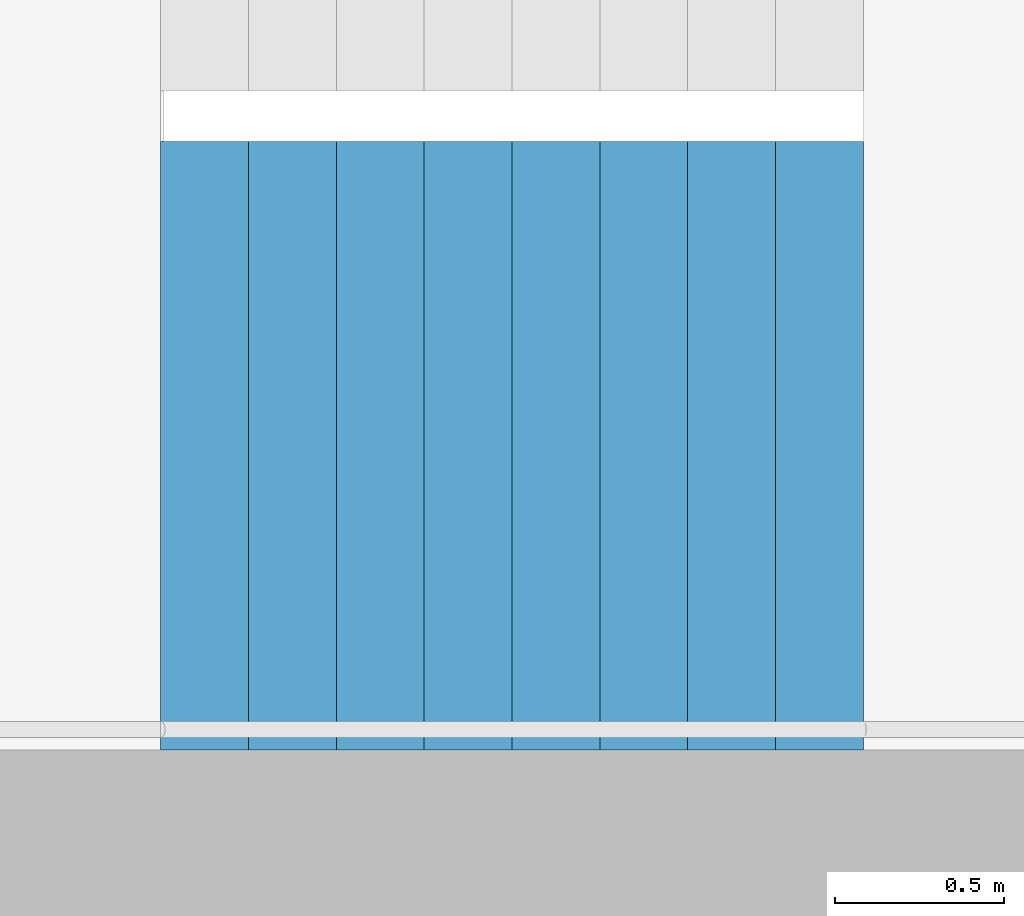
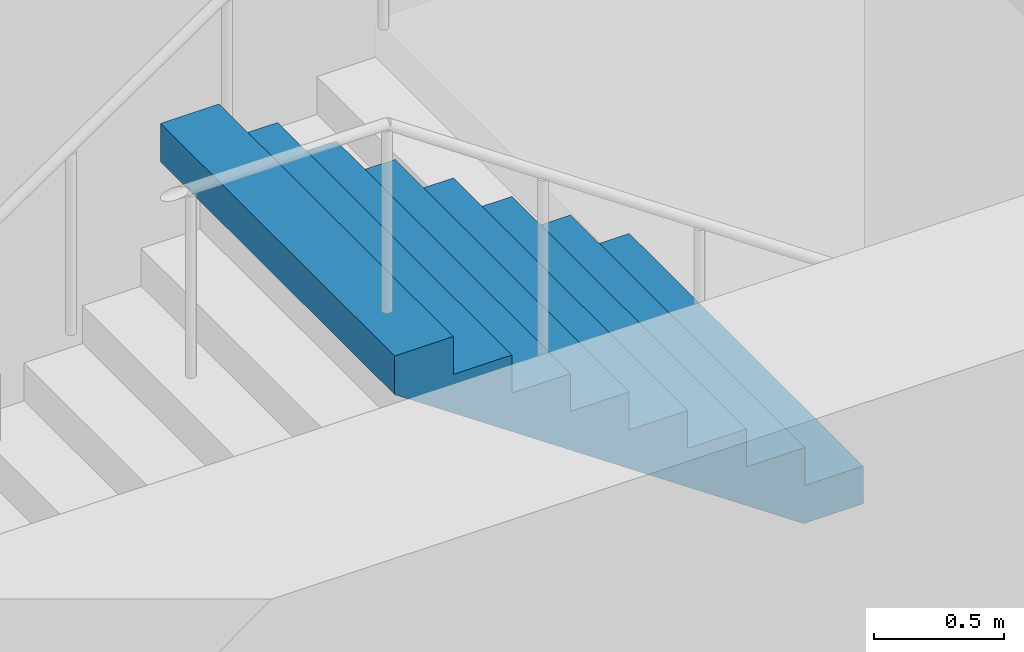
# One storey, part 26 of 44: 1 stair flight, 1 element without a shape of its own.
"""IFC4 building model written with IfcOpenShell, lengths in metres."""

from ifc_helpers import new_model, si_unit, direction, frame, origin, place, context, subcontext, project, spatial, triangles, material, type_object, element, aggregate, save


model = new_model("IFC4")

# Units and contexts
model_context = context("Model", 3, precision=1e-05, world=origin(), true_north=direction((0.0, 1.0)))
body_context = subcontext(model_context, "Body", "Model", "MODEL_VIEW")
ifc_project = project(units=[si_unit("LENGTHUNIT", "METRE"), si_unit("AREAUNIT", "SQUARE_METRE"), si_unit("VOLUMEUNIT", "CUBIC_METRE"), si_unit("PLANEANGLEUNIT", "RADIAN"), si_unit("MASSUNIT", "GRAM", prefix="KILO")], contexts=[model_context])

# Site, building, storey
site_placement = place(None, origin())
site = spatial("IfcSite", under=ifc_project, at=site_placement, CompositionType="ELEMENT")
building_placement = place(site_placement, origin())
building = spatial("IfcBuilding", under=site, at=building_placement, Name="Hakoniwa Tower and Hamabe Station Hall", CompositionType="ELEMENT")
storey_placement = place(building_placement, frame((0.0, 0.0, 69.0)))
storey = spatial("IfcBuildingStorey", under=building, at=storey_placement, Name="L19", CompositionType="ELEMENT", Elevation=69.0)

# Stair, stair flight
ifc_material_1 = material(Name="Concrete C40", Category="concrete")
stair_type = type_object("IfcStairType", Name="ESCAPE STAIR 1800", PredefinedType="HALF_TURN_STAIR", material=ifc_material_1)
stair_placement = place(storey_placement, origin())
stair = element("IfcStair", 1, at=stair_placement, inside=storey, type_object=stair_type, Name="Escape stair ST-4 L19", PredefinedType="HALF_TURN_STAIR")
ifc_material_2 = material(Name="Concrete C40", Category="concrete")
stair_flight_type = type_object("IfcStairFlightType", Name="STAIR FLIGHT 1800", PredefinedType="STRAIGHT", material=ifc_material_2)
stair_flight_placement = place(storey_placement, frame((25.47998046875, -6.60009765625, 4.800048828125), z_axis=(0.0, 0.0, 1.0), x_axis=(-1.0, 0.0, 0.0)))
stair_flight = element("IfcStairFlight", 2, at=stair_flight_placement, type_object=stair_flight_type, Name="ST-4 flight 4", NumberOfRisers=9, NumberOfTreads=8, PredefinedType="STRAIGHT", RiserHeight=0.177777778, TreadLength=0.26, context=body_context, shape_type="Tessellation", body=[
    triangles([(0.0, 0.89990234375, 0.0), (0.260009765625, 0.89990234375, 0.0), (0.265625, 0.89990234375, 0.0), (0.52001953125, 0.89990234375, 0.174072265625), (0.780029296875, 0.89990234375, 0.351806640625), (1.0400390625, 0.89990234375, 0.529541015625), (1.300048828125, 0.89990234375, 0.707275390625), (1.56005859375, 0.89990234375, 0.885009765625), (1.820068359375, 0.89990234375, 1.062744140625), (2.080078125, 0.89990234375, 1.24072265625), (2.080078125, 0.89990234375, 1.422119140625), (1.820068359375, 0.89990234375, 1.422119140625), (1.820068359375, 0.89990234375, 1.244384765625), (1.56005859375, 0.89990234375, 1.244384765625), (1.56005859375, 0.89990234375, 1.066650390625), (1.300048828125, 0.89990234375, 1.066650390625), (1.300048828125, 0.89990234375, 0.888916015625), (1.0400390625, 0.89990234375, 0.888916015625), (1.0400390625, 0.89990234375, 0.711181640625), (0.780029296875, 0.89990234375, 0.711181640625), (0.780029296875, 0.89990234375, 0.533447265625), (0.52001953125, 0.89990234375, 0.533447265625), (0.52001953125, 0.89990234375, 0.35546875), (0.265625, 0.89990234375, 0.35546875), (0.260009765625, 0.89990234375, 0.35546875), (0.260009765625, 0.89990234375, 0.177734375), (0.0, 0.89990234375, 0.177734375), (0.0, 0.06005859375, 0.0), (0.260009765625, 0.06005859375, 0.0), (0.265625, 0.06005859375, 0.0), (0.52001953125, 0.06005859375, 0.174072265625), (0.780029296875, 0.06005859375, 0.351806640625), (1.0400390625, 0.06005859375, 0.529541015625), (1.300048828125, 0.06005859375, 0.707275390625), (1.56005859375, 0.06005859375, 0.885009765625), (1.820068359375, 0.06005859375, 1.062744140625), (2.080078125, 0.06005859375, 1.24072265625), (2.080078125, 0.06005859375, 1.422119140625), (1.820068359375, 0.06005859375, 1.422119140625), (1.820068359375, 0.06005859375, 1.244384765625), (1.56005859375, 0.06005859375, 1.244384765625), (1.56005859375, 0.06005859375, 1.066650390625), (1.300048828125, 0.06005859375, 1.066650390625), (1.300048828125, 0.06005859375, 0.888916015625), (1.0400390625, 0.06005859375, 0.888916015625), (1.0400390625, 0.06005859375, 0.711181640625), (0.780029296875, 0.06005859375, 0.711181640625), (0.780029296875, 0.06005859375, 0.533447265625), (0.52001953125, 0.06005859375, 0.533447265625), (0.52001953125, 0.06005859375, 0.35546875), (0.265625, 0.06005859375, 0.35546875), (0.260009765625, 0.06005859375, 0.35546875), (0.260009765625, 0.06005859375, 0.177734375), (0.0, 0.06005859375, 0.177734375), (0.0, 0.04296875, 0.0), (0.260009765625, 0.04296875, 0.0), (0.265625, 0.04296875, 0.0), (0.52001953125, 0.04296875, 0.174072265625), (0.780029296875, 0.04296875, 0.351806640625), (1.0400390625, 0.04296875, 0.529541015625), (1.300048828125, 0.04296875, 0.707275390625), (1.56005859375, 0.04296875, 0.885009765625), (1.820068359375, 0.04296875, 1.062744140625), (2.080078125, 0.04296875, 1.24072265625), (2.080078125, 0.04296875, 1.422119140625), (1.820068359375, 0.04296875, 1.422119140625), (1.820068359375, 0.04296875, 1.244384765625), (1.56005859375, 0.04296875, 1.244384765625), (1.56005859375, 0.04296875, 1.066650390625), (1.300048828125, 0.04296875, 1.066650390625), (1.300048828125, 0.04296875, 0.888916015625), (1.0400390625, 0.04296875, 0.888916015625), (1.0400390625, 0.04296875, 0.711181640625), (0.780029296875, 0.04296875, 0.711181640625), (0.780029296875, 0.04296875, 0.533447265625), (0.52001953125, 0.04296875, 0.533447265625), (0.52001953125, 0.04296875, 0.35546875), (0.265625, 0.04296875, 0.35546875), (0.260009765625, 0.04296875, 0.35546875), (0.260009765625, 0.04296875, 0.177734375), (0.0, 0.04296875, 0.177734375), (0.0, 0.025634765625, 0.0), (0.260009765625, 0.025634765625, 0.0), (0.265625, 0.025634765625, 0.0), (0.52001953125, 0.025634765625, 0.174072265625), (0.780029296875, 0.025634765625, 0.351806640625), (1.0400390625, 0.025634765625, 0.529541015625), (1.300048828125, 0.025634765625, 0.707275390625), (1.56005859375, 0.025634765625, 0.885009765625), (1.820068359375, 0.025634765625, 1.062744140625), (2.080078125, 0.025634765625, 1.24072265625), (2.080078125, 0.025634765625, 1.422119140625), (1.820068359375, 0.025634765625, 1.422119140625), (1.820068359375, 0.025634765625, 1.244384765625), (1.56005859375, 0.025634765625, 1.244384765625), (1.56005859375, 0.025634765625, 1.066650390625), (1.300048828125, 0.025634765625, 1.066650390625), (1.300048828125, 0.025634765625, 0.888916015625), (1.0400390625, 0.025634765625, 0.888916015625), (1.0400390625, 0.025634765625, 0.711181640625), (0.780029296875, 0.025634765625, 0.711181640625), (0.780029296875, 0.025634765625, 0.533447265625), (0.52001953125, 0.025634765625, 0.533447265625), (0.52001953125, 0.025634765625, 0.35546875), (0.265625, 0.025634765625, 0.35546875), (0.260009765625, 0.025634765625, 0.35546875), (0.260009765625, 0.025634765625, 0.177734375), (0.0, 0.025634765625, 0.177734375), (0.0, 0.008544921875, 0.0), (0.260009765625, 0.008544921875, 0.0), (0.265625, 0.008544921875, 0.0), (0.52001953125, 0.008544921875, 0.174072265625), (0.780029296875, 0.008544921875, 0.351806640625), (1.0400390625, 0.008544921875, 0.529541015625), (1.300048828125, 0.008544921875, 0.707275390625), (1.56005859375, 0.008544921875, 0.885009765625), (1.820068359375, 0.008544921875, 1.062744140625), (2.080078125, 0.008544921875, 1.24072265625), (2.080078125, 0.008544921875, 1.422119140625), (1.820068359375, 0.008544921875, 1.422119140625), (1.820068359375, 0.008544921875, 1.244384765625), (1.56005859375, 0.008544921875, 1.244384765625), (1.56005859375, 0.008544921875, 1.066650390625), (1.300048828125, 0.008544921875, 1.066650390625), (1.300048828125, 0.008544921875, 0.888916015625), (1.0400390625, 0.008544921875, 0.888916015625), (1.0400390625, 0.008544921875, 0.711181640625), (0.780029296875, 0.008544921875, 0.711181640625), (0.780029296875, 0.008544921875, 0.533447265625), (0.52001953125, 0.008544921875, 0.533447265625), (0.52001953125, 0.008544921875, 0.35546875), (0.265625, 0.008544921875, 0.35546875), (0.260009765625, 0.008544921875, 0.35546875), (0.260009765625, 0.008544921875, 0.177734375), (0.0, 0.008544921875, 0.177734375), (0.0, -0.008544921875, 0.0), (0.260009765625, -0.008544921875, 0.0), (0.265625, -0.008544921875, 0.0), (0.52001953125, -0.008544921875, 0.174072265625), (0.780029296875, -0.008544921875, 0.351806640625), (1.0400390625, -0.008544921875, 0.529541015625), (1.300048828125, -0.008544921875, 0.707275390625), (1.56005859375, -0.008544921875, 0.885009765625), (1.820068359375, -0.008544921875, 1.062744140625), (2.080078125, -0.008544921875, 1.24072265625), (2.080078125, -0.008544921875, 1.422119140625), (1.820068359375, -0.008544921875, 1.422119140625), (1.820068359375, -0.008544921875, 1.244384765625), (1.56005859375, -0.008544921875, 1.244384765625), (1.56005859375, -0.008544921875, 1.066650390625), (1.300048828125, -0.008544921875, 1.066650390625), (1.300048828125, -0.008544921875, 0.888916015625), (1.0400390625, -0.008544921875, 0.888916015625), (1.0400390625, -0.008544921875, 0.711181640625), (0.780029296875, -0.008544921875, 0.711181640625), (0.780029296875, -0.008544921875, 0.533447265625), (0.52001953125, -0.008544921875, 0.533447265625), (0.52001953125, -0.008544921875, 0.35546875), (0.265625, -0.008544921875, 0.35546875), (0.260009765625, -0.008544921875, 0.35546875), (0.260009765625, -0.008544921875, 0.177734375), (0.0, -0.008544921875, 0.177734375), (0.0, -0.025634765625, 0.0), (0.260009765625, -0.025634765625, 0.0), (0.265625, -0.025634765625, 0.0), (0.52001953125, -0.025634765625, 0.174072265625), (0.780029296875, -0.025634765625, 0.351806640625), (1.0400390625, -0.025634765625, 0.529541015625), (1.300048828125, -0.025634765625, 0.707275390625), (1.56005859375, -0.025634765625, 0.885009765625), (1.820068359375, -0.025634765625, 1.062744140625), (2.080078125, -0.025634765625, 1.24072265625), (2.080078125, -0.025634765625, 1.422119140625), (1.820068359375, -0.025634765625, 1.422119140625), (1.820068359375, -0.025634765625, 1.244384765625), (1.56005859375, -0.025634765625, 1.244384765625), (1.56005859375, -0.025634765625, 1.066650390625), (1.300048828125, -0.025634765625, 1.066650390625), (1.300048828125, -0.025634765625, 0.888916015625), (1.0400390625, -0.025634765625, 0.888916015625), (1.0400390625, -0.025634765625, 0.711181640625), (0.780029296875, -0.025634765625, 0.711181640625), (0.780029296875, -0.025634765625, 0.533447265625), (0.52001953125, -0.025634765625, 0.533447265625), (0.52001953125, -0.025634765625, 0.35546875), (0.265625, -0.025634765625, 0.35546875), (0.260009765625, -0.025634765625, 0.35546875), (0.260009765625, -0.025634765625, 0.177734375), (0.0, -0.025634765625, 0.177734375), (0.0, -0.04296875, 0.0), (0.260009765625, -0.04296875, 0.0), (0.265625, -0.04296875, 0.0), (0.52001953125, -0.04296875, 0.174072265625), (0.780029296875, -0.04296875, 0.351806640625), (1.0400390625, -0.04296875, 0.529541015625), (1.300048828125, -0.04296875, 0.707275390625), (1.56005859375, -0.04296875, 0.885009765625), (1.820068359375, -0.04296875, 1.062744140625), (2.080078125, -0.04296875, 1.24072265625), (2.080078125, -0.04296875, 1.422119140625), (1.820068359375, -0.04296875, 1.422119140625), (1.820068359375, -0.04296875, 1.244384765625), (1.56005859375, -0.04296875, 1.244384765625), (1.56005859375, -0.04296875, 1.066650390625), (1.300048828125, -0.04296875, 1.066650390625), (1.300048828125, -0.04296875, 0.888916015625), (1.0400390625, -0.04296875, 0.888916015625), (1.0400390625, -0.04296875, 0.711181640625), (0.780029296875, -0.04296875, 0.711181640625), (0.780029296875, -0.04296875, 0.533447265625), (0.52001953125, -0.04296875, 0.533447265625), (0.52001953125, -0.04296875, 0.35546875), (0.265625, -0.04296875, 0.35546875), (0.260009765625, -0.04296875, 0.35546875), (0.260009765625, -0.04296875, 0.177734375), (0.0, -0.04296875, 0.177734375), (0.0, -0.06005859375, 0.0), (0.260009765625, -0.06005859375, 0.0), (0.265625, -0.06005859375, 0.0), (0.52001953125, -0.06005859375, 0.174072265625), (0.780029296875, -0.06005859375, 0.351806640625), (1.0400390625, -0.06005859375, 0.529541015625), (1.300048828125, -0.06005859375, 0.707275390625), (1.56005859375, -0.06005859375, 0.885009765625), (1.820068359375, -0.06005859375, 1.062744140625), (2.080078125, -0.06005859375, 1.24072265625), (2.080078125, -0.06005859375, 1.422119140625), (1.820068359375, -0.06005859375, 1.422119140625), (1.820068359375, -0.06005859375, 1.244384765625), (1.56005859375, -0.06005859375, 1.244384765625), (1.56005859375, -0.06005859375, 1.066650390625), (1.300048828125, -0.06005859375, 1.066650390625), (1.300048828125, -0.06005859375, 0.888916015625), (1.0400390625, -0.06005859375, 0.888916015625), (1.0400390625, -0.06005859375, 0.711181640625), (0.780029296875, -0.06005859375, 0.711181640625), (0.780029296875, -0.06005859375, 0.533447265625), (0.52001953125, -0.06005859375, 0.533447265625), (0.52001953125, -0.06005859375, 0.35546875), (0.265625, -0.06005859375, 0.35546875), (0.260009765625, -0.06005859375, 0.35546875), (0.260009765625, -0.06005859375, 0.177734375), (0.0, -0.06005859375, 0.177734375), (0.0, -0.89990234375, 0.0), (0.260009765625, -0.89990234375, 0.0), (0.265625, -0.89990234375, 0.0), (0.52001953125, -0.89990234375, 0.174072265625), (0.780029296875, -0.89990234375, 0.351806640625), (1.0400390625, -0.89990234375, 0.529541015625), (1.300048828125, -0.89990234375, 0.707275390625), (1.56005859375, -0.89990234375, 0.885009765625), (1.820068359375, -0.89990234375, 1.062744140625), (2.080078125, -0.89990234375, 1.24072265625), (2.080078125, -0.89990234375, 1.422119140625), (1.820068359375, -0.89990234375, 1.422119140625), (1.820068359375, -0.89990234375, 1.244384765625), (1.56005859375, -0.89990234375, 1.244384765625), (1.56005859375, -0.89990234375, 1.066650390625), (1.300048828125, -0.89990234375, 1.066650390625), (1.300048828125, -0.89990234375, 0.888916015625), (1.0400390625, -0.89990234375, 0.888916015625), (1.0400390625, -0.89990234375, 0.711181640625), (0.780029296875, -0.89990234375, 0.711181640625), (0.780029296875, -0.89990234375, 0.533447265625), (0.52001953125, -0.89990234375, 0.533447265625), (0.52001953125, -0.89990234375, 0.35546875), (0.265625, -0.89990234375, 0.35546875), (0.260009765625, -0.89990234375, 0.35546875), (0.260009765625, -0.89990234375, 0.177734375), (0.0, -0.89990234375, 0.177734375)], [[2, 27, 26], [245, 269, 270], [2, 1, 27], [245, 270, 244], [3, 25, 24], [246, 267, 268], [3, 26, 25], [246, 268, 269], [3, 2, 26], [246, 269, 245], [4, 24, 23], [247, 266, 267], [4, 3, 24], [247, 267, 246], [5, 22, 21], [248, 264, 265], [5, 23, 22], [248, 265, 266], [5, 4, 23], [248, 266, 247], [6, 20, 19], [249, 262, 263], [6, 21, 20], [249, 263, 264], [6, 5, 21], [249, 264, 248], [7, 18, 17], [250, 260, 261], [7, 19, 18], [250, 261, 262], [7, 6, 19], [250, 262, 249], [8, 16, 15], [251, 258, 259], [8, 17, 16], [251, 259, 260], [8, 7, 17], [251, 260, 250], [9, 14, 13], [252, 256, 257], [9, 15, 14], [252, 257, 258], [9, 8, 15], [252, 258, 251], [10, 12, 11], [253, 254, 255], [10, 13, 12], [253, 255, 256], [10, 9, 13], [253, 256, 252], [1, 2, 29], [1, 29, 28], [28, 29, 56], [28, 56, 55], [55, 56, 83], [55, 83, 82], [82, 83, 110], [82, 110, 109], [109, 110, 137], [109, 137, 136], [136, 137, 164], [136, 164, 163], [163, 164, 191], [163, 191, 190], [190, 191, 218], [190, 218, 217], [217, 218, 245], [217, 245, 244], [2, 3, 30], [2, 30, 29], [29, 30, 57], [29, 57, 56], [56, 57, 84], [56, 84, 83], [83, 84, 111], [83, 111, 110], [110, 111, 138], [110, 138, 137], [137, 138, 165], [137, 165, 164], [164, 165, 192], [164, 192, 191], [191, 192, 219], [191, 219, 218], [218, 219, 246], [218, 246, 245], [3, 4, 31], [3, 31, 30], [30, 31, 58], [30, 58, 57], [57, 58, 85], [57, 85, 84], [84, 85, 112], [84, 112, 111], [111, 112, 139], [111, 139, 138], [138, 139, 166], [138, 166, 165], [165, 166, 193], [165, 193, 192], [192, 193, 220], [192, 220, 219], [219, 220, 247], [219, 247, 246], [4, 5, 32], [4, 32, 31], [31, 32, 59], [31, 59, 58], [58, 59, 86], [58, 86, 85], [85, 86, 113], [85, 113, 112], [112, 113, 140], [112, 140, 139], [139, 140, 167], [139, 167, 166], [166, 167, 194], [166, 194, 193], [193, 194, 221], [193, 221, 220], [220, 221, 248], [220, 248, 247], [5, 6, 33], [5, 33, 32], [32, 33, 60], [32, 60, 59], [59, 60, 87], [59, 87, 86], [86, 87, 114], [86, 114, 113], [113, 114, 141], [113, 141, 140], [140, 141, 168], [140, 168, 167], [167, 168, 195], [167, 195, 194], [194, 195, 222], [194, 222, 221], [221, 222, 249], [221, 249, 248], [6, 7, 34], [6, 34, 33], [33, 34, 61], [33, 61, 60], [60, 61, 88], [60, 88, 87], [87, 88, 115], [87, 115, 114], [114, 115, 142], [114, 142, 141], [141, 142, 169], [141, 169, 168], [168, 169, 196], [168, 196, 195], [195, 196, 223], [195, 223, 222], [222, 223, 250], [222, 250, 249], [7, 8, 35], [7, 35, 34], [34, 35, 62], [34, 62, 61], [61, 62, 89], [61, 89, 88], [88, 89, 116], [88, 116, 115], [115, 116, 143], [115, 143, 142], [142, 143, 170], [142, 170, 169], [169, 170, 197], [169, 197, 196], [196, 197, 224], [196, 224, 223], [223, 224, 251], [223, 251, 250], [8, 9, 36], [8, 36, 35], [35, 36, 63], [35, 63, 62], [62, 63, 90], [62, 90, 89], [89, 90, 117], [89, 117, 116], [116, 117, 144], [116, 144, 143], [143, 144, 171], [143, 171, 170], [170, 171, 198], [170, 198, 197], [197, 198, 225], [197, 225, 224], [224, 225, 252], [224, 252, 251], [9, 10, 37], [9, 37, 36], [36, 37, 64], [36, 64, 63], [63, 64, 91], [63, 91, 90], [90, 91, 118], [90, 118, 117], [117, 118, 145], [117, 145, 144], [144, 145, 172], [144, 172, 171], [171, 172, 199], [171, 199, 198], [198, 199, 226], [198, 226, 225], [225, 226, 253], [225, 253, 252], [10, 11, 38], [10, 38, 37], [37, 38, 65], [37, 65, 64], [64, 65, 92], [64, 92, 91], [91, 92, 119], [91, 119, 118], [118, 119, 146], [118, 146, 145], [145, 146, 173], [145, 173, 172], [172, 173, 200], [172, 200, 199], [199, 200, 227], [199, 227, 226], [226, 227, 254], [226, 254, 253], [11, 12, 39], [11, 39, 38], [38, 39, 66], [38, 66, 65], [65, 66, 93], [65, 93, 92], [92, 93, 120], [92, 120, 119], [119, 120, 147], [119, 147, 146], [146, 147, 174], [146, 174, 173], [173, 174, 201], [173, 201, 200], [200, 201, 228], [200, 228, 227], [227, 228, 255], [227, 255, 254], [12, 13, 40], [12, 40, 39], [39, 40, 67], [39, 67, 66], [66, 67, 94], [66, 94, 93], [93, 94, 121], [93, 121, 120], [120, 121, 148], [120, 148, 147], [147, 148, 175], [147, 175, 174], [174, 175, 202], [174, 202, 201], [201, 202, 229], [201, 229, 228], [228, 229, 256], [228, 256, 255], [13, 14, 41], [13, 41, 40], [40, 41, 68], [40, 68, 67], [67, 68, 95], [67, 95, 94], [94, 95, 122], [94, 122, 121], [121, 122, 149], [121, 149, 148], [148, 149, 176], [148, 176, 175], [175, 176, 203], [175, 203, 202], [202, 203, 230], [202, 230, 229], [229, 230, 257], [229, 257, 256], [14, 15, 42], [14, 42, 41], [41, 42, 69], [41, 69, 68], [68, 69, 96], [68, 96, 95], [95, 96, 123], [95, 123, 122], [122, 123, 150], [122, 150, 149], [149, 150, 177], [149, 177, 176], [176, 177, 204], [176, 204, 203], [203, 204, 231], [203, 231, 230], [230, 231, 258], [230, 258, 257], [15, 16, 43], [15, 43, 42], [42, 43, 70], [42, 70, 69], [69, 70, 97], [69, 97, 96], [96, 97, 124], [96, 124, 123], [123, 124, 151], [123, 151, 150], [150, 151, 178], [150, 178, 177], [177, 178, 205], [177, 205, 204], [204, 205, 232], [204, 232, 231], [231, 232, 259], [231, 259, 258], [16, 17, 44], [16, 44, 43], [43, 44, 71], [43, 71, 70], [70, 71, 98], [70, 98, 97], [97, 98, 125], [97, 125, 124], [124, 125, 152], [124, 152, 151], [151, 152, 179], [151, 179, 178], [178, 179, 206], [178, 206, 205], [205, 206, 233], [205, 233, 232], [232, 233, 260], [232, 260, 259], [17, 18, 45], [17, 45, 44], [44, 45, 72], [44, 72, 71], [71, 72, 99], [71, 99, 98], [98, 99, 126], [98, 126, 125], [125, 126, 153], [125, 153, 152], [152, 153, 180], [152, 180, 179], [179, 180, 207], [179, 207, 206], [206, 207, 234], [206, 234, 233], [233, 234, 261], [233, 261, 260], [18, 19, 46], [18, 46, 45], [45, 46, 73], [45, 73, 72], [72, 73, 100], [72, 100, 99], [99, 100, 127], [99, 127, 126], [126, 127, 154], [126, 154, 153], [153, 154, 181], [153, 181, 180], [180, 181, 208], [180, 208, 207], [207, 208, 235], [207, 235, 234], [234, 235, 262], [234, 262, 261], [19, 20, 47], [19, 47, 46], [46, 47, 74], [46, 74, 73], [73, 74, 101], [73, 101, 100], [100, 101, 128], [100, 128, 127], [127, 128, 155], [127, 155, 154], [154, 155, 182], [154, 182, 181], [181, 182, 209], [181, 209, 208], [208, 209, 236], [208, 236, 235], [235, 236, 263], [235, 263, 262], [20, 21, 48], [20, 48, 47], [47, 48, 75], [47, 75, 74], [74, 75, 102], [74, 102, 101], [101, 102, 129], [101, 129, 128], [128, 129, 156], [128, 156, 155], [155, 156, 183], [155, 183, 182], [182, 183, 210], [182, 210, 209], [209, 210, 237], [209, 237, 236], [236, 237, 264], [236, 264, 263], [21, 22, 49], [21, 49, 48], [48, 49, 76], [48, 76, 75], [75, 76, 103], [75, 103, 102], [102, 103, 130], [102, 130, 129], [129, 130, 157], [129, 157, 156], [156, 157, 184], [156, 184, 183], [183, 184, 211], [183, 211, 210], [210, 211, 238], [210, 238, 237], [237, 238, 265], [237, 265, 264], [22, 23, 50], [22, 50, 49], [49, 50, 77], [49, 77, 76], [76, 77, 104], [76, 104, 103], [103, 104, 131], [103, 131, 130], [130, 131, 158], [130, 158, 157], [157, 158, 185], [157, 185, 184], [184, 185, 212], [184, 212, 211], [211, 212, 239], [211, 239, 238], [238, 239, 266], [238, 266, 265], [23, 24, 51], [23, 51, 50], [50, 51, 78], [50, 78, 77], [77, 78, 105], [77, 105, 104], [104, 105, 132], [104, 132, 131], [131, 132, 159], [131, 159, 158], [158, 159, 186], [158, 186, 185], [185, 186, 213], [185, 213, 212], [212, 213, 240], [212, 240, 239], [239, 240, 267], [239, 267, 266], [24, 25, 52], [24, 52, 51], [51, 52, 79], [51, 79, 78], [78, 79, 106], [78, 106, 105], [105, 106, 133], [105, 133, 132], [132, 133, 160], [132, 160, 159], [159, 160, 187], [159, 187, 186], [186, 187, 214], [186, 214, 213], [213, 214, 241], [213, 241, 240], [240, 241, 268], [240, 268, 267], [25, 26, 53], [25, 53, 52], [52, 53, 80], [52, 80, 79], [79, 80, 107], [79, 107, 106], [106, 107, 134], [106, 134, 133], [133, 134, 161], [133, 161, 160], [160, 161, 188], [160, 188, 187], [187, 188, 215], [187, 215, 214], [214, 215, 242], [214, 242, 241], [241, 242, 269], [241, 269, 268], [26, 27, 54], [26, 54, 53], [53, 54, 81], [53, 81, 80], [80, 81, 108], [80, 108, 107], [107, 108, 135], [107, 135, 134], [134, 135, 162], [134, 162, 161], [161, 162, 189], [161, 189, 188], [188, 189, 216], [188, 216, 215], [215, 216, 243], [215, 243, 242], [242, 243, 270], [242, 270, 269], [27, 1, 28], [27, 28, 54], [54, 28, 55], [54, 55, 81], [81, 55, 82], [81, 82, 108], [108, 82, 109], [108, 109, 135], [135, 109, 136], [135, 136, 162], [162, 136, 163], [162, 163, 189], [189, 163, 190], [189, 190, 216], [216, 190, 217], [216, 217, 243], [243, 217, 244], [243, 244, 270]], closed=True),
])
aggregate(stair, [stair_flight])

save(model, "model.ifc")
